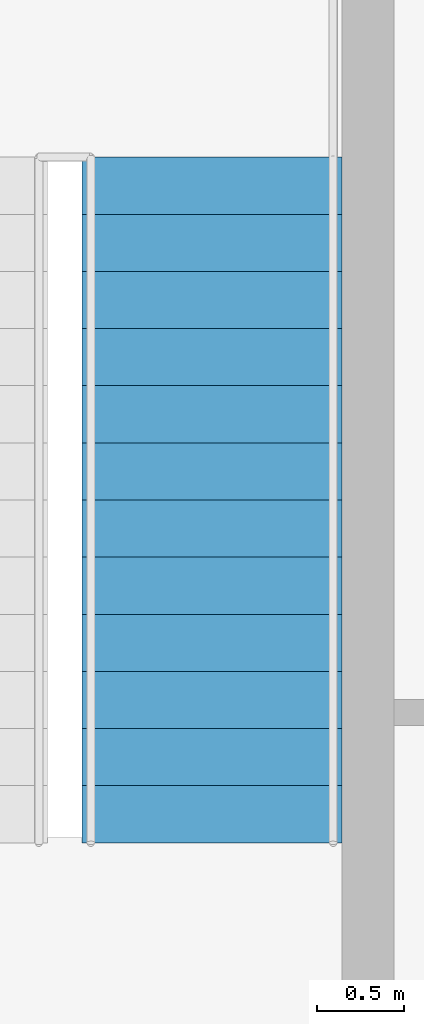
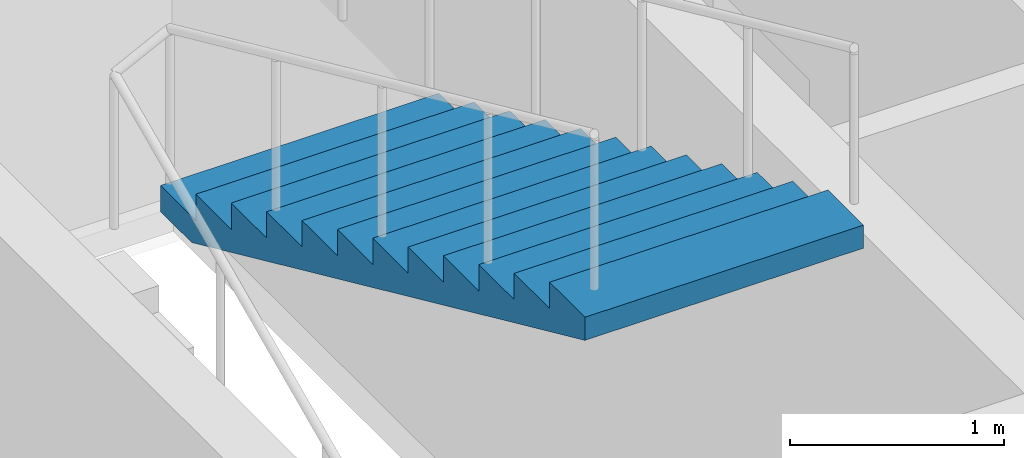
# One storey, part 9 of 10: 1 stair flight, 1 element without a shape of its own.
"""IFC4 building model written with IfcOpenShell, lengths in metres."""

import ifcopenshell
import ifcopenshell.guid

model = None  # the IFC model being written
_history = None  # IfcOwnerHistory: only IFC2X3 demands one
_inside = {}  # id of a spatial element -> (the spatial element, [elements in it])
_under = {}  # id of a project, library or spatial element -> (it, [spatial elements below it])
_declared = {}  # id of a project -> (the project, [libraries it declares])
_typed = {}  # id of a type object -> (the type object, [elements of that type])
_made_of = {}  # id of a material, layer set ... -> (it, [elements and type objects made of it])


def new_model(schema):
    """Start an empty IFC model of exactly this schema.

    Asked for "IFC4X3", IfcOpenShell would pick the latest addendum, in which some entities
    have other attributes; the version numbers below select the first issue.
    IFC2X3 requires an IfcOwnerHistory on every rooted entity: one is made here for all.
    """
    global model, _history
    if schema == "IFC4X3":
        model = ifcopenshell.file(schema_version=(4, 3, 0, 0))
    else:
        model = ifcopenshell.file(schema=schema)
    _inside.clear()
    _under.clear()
    _declared.clear()
    _typed.clear()
    _made_of.clear()
    _history = None
    if model.schema == "IFC2X3":
        org = make("IfcOrganization", Name="unknown")
        user = make(
            "IfcPersonAndOrganization",
            ThePerson=make("IfcPerson", FamilyName="unknown"),
            TheOrganization=org,
        )
        app = make(
            "IfcApplication",
            ApplicationDeveloper=org,
            Version="unknown",
            ApplicationFullName="unknown",
            ApplicationIdentifier="unknown",
        )
        _history = make(
            "IfcOwnerHistory",
            OwningUser=user,
            OwningApplication=app,
            ChangeAction="ADDED",
            CreationDate=0,
        )
    return model


def make(cls, **values):
    """One entity of the class cls with the attributes given. An attribute that is None is left unset."""
    return model.create_entity(
        cls, **{name: value for name, value in values.items() if value is not None}
    )


def rooted(cls, **values):
    """An entity with a GlobalId (a new one), such as an element, a storey or a relation."""
    return make(cls, GlobalId=ifcopenshell.guid.new(), OwnerHistory=_history, **values)


def si_unit(unit_type, name, prefix=None):
    """IfcSIUnit, for example si_unit("LENGTHUNIT", "METRE", prefix="MILLI")."""
    return make("IfcSIUnit", UnitType=unit_type, Prefix=prefix, Name=name)


def assignment(units):
    """IfcUnitAssignment: the units of a project."""
    return None if units is None else make("IfcUnitAssignment", Units=units)


def point(xyz):
    """IfcCartesianPoint."""
    return None if xyz is None else make("IfcCartesianPoint", Coordinates=xyz)


def direction(xyz):
    """IfcDirection."""
    return None if xyz is None else make("IfcDirection", DirectionRatios=xyz)


def frame(location, z_axis=None, x_axis=None):
    """IfcAxis2Placement3D, a coordinate frame: its origin and axes. An axis left out is left unset."""
    return make(
        "IfcAxis2Placement3D",
        Location=point(location),
        Axis=direction(z_axis),
        RefDirection=direction(x_axis),
    )


def origin():
    """The frame at (0, 0, 0) with its axes left unset."""
    return frame((0.0, 0.0, 0.0))


def place(relative_to, where):
    """IfcLocalPlacement: puts the frame where relative to a parent placement (None: the world)."""
    return make(
        "IfcLocalPlacement", PlacementRelTo=relative_to, RelativePlacement=where
    )


def context(
    kind, dimensions, precision=None, world=None, true_north=None, identifier=None
):
    """IfcGeometricRepresentationContext, for example the 3D "Model" context."""
    return make(
        "IfcGeometricRepresentationContext",
        ContextIdentifier=identifier,
        ContextType=kind,
        CoordinateSpaceDimension=dimensions,
        Precision=precision,
        WorldCoordinateSystem=world,
        TrueNorth=true_north,
    )


def subcontext(parent, identifier, kind, view, scale=None):
    """IfcGeometricRepresentationSubContext, for example "Body" below "Model"."""
    return make(
        "IfcGeometricRepresentationSubContext",
        ContextIdentifier=identifier,
        ContextType=kind,
        ParentContext=parent,
        TargetScale=scale,
        TargetView=view,
    )


def project(units=None, contexts=None):
    """IfcProject with its units and contexts."""
    return rooted(
        "IfcProject",
        Name="project",
        RepresentationContexts=contexts,
        UnitsInContext=assignment(units),
    )


def spatial(cls, under=None, at=None, **own):
    """A site, building, storey or space (cls), placed at a placement, below another one or the project."""
    s = rooted(cls, ObjectPlacement=at, **own)
    if under is not None:
        _under.setdefault(under.id(), (under, []))[1].append(s)
    return s


def point_list(points):
    """IfcCartesianPointList2D or 3D."""
    cls = (
        "IfcCartesianPointList2D" if len(points[0]) == 2 else "IfcCartesianPointList3D"
    )
    return make(cls, CoordList=points)


def polygons(points, faces, closed=None, point_numbers=None):
    """IfcPolygonalFaceSet: a face is its outer loop, then its inner loops; points numbered from 1."""
    made = []
    for loops in faces:
        if len(loops) == 1:
            made.append(make("IfcIndexedPolygonalFace", CoordIndex=loops[0]))
        else:
            made.append(
                make(
                    "IfcIndexedPolygonalFaceWithVoids",
                    CoordIndex=loops[0],
                    InnerCoordIndices=loops[1:],
                )
            )
    return make(
        "IfcPolygonalFaceSet",
        Coordinates=point_list(points),
        Closed=closed,
        Faces=made,
        PnIndex=point_numbers,
    )


def shape(context_of_items, identifier, shape_type, items):
    """IfcShapeRepresentation: the items that make up one representation, for example the "Body"."""
    return make(
        "IfcShapeRepresentation",
        ContextOfItems=context_of_items,
        RepresentationIdentifier=identifier,
        RepresentationType=shape_type,
        Items=items,
    )


def material(Name=None, Category=None):
    """IfcMaterial."""
    return make("IfcMaterial", Name=Name, Category=Category)


def made_of(thing, what):
    """Note that an element or type object is made of a material, layer set ...; save() writes the relation."""
    if what is not None:
        _made_of.setdefault(what.id(), (what, []))[1].append(thing)
    return thing


def type_object(cls, material=None, **own):
    """A type object (cls), such as IfcWallType, which elements share."""
    return made_of(rooted(cls, **own), material)


def element(
    cls,
    number,
    at=None,
    inside=None,
    cuts=None,
    type_object=None,
    material=None,
    context=None,
    identifier="Body",
    shape_type=None,
    held_by="IfcProductDefinitionShape",
    body=None,
    shapes=None,
    **own,
):
    """One element of the class cls, such as IfcWall. Its Tag is "e" and its number.

    at: its placement. inside: the storey or other place that contains it. cuts: it is an
    opening in that element (IfcRelVoidsElement). A single representation is given by context,
    identifier, shape_type and body (its items); several are given by shapes. held_by: the class
    of the entity that holds the representations. save() writes the other relations.
    """
    e = rooted(cls, Tag="e%d" % number, ObjectPlacement=at, **own)
    if body is not None:
        shapes = [shape(context, identifier, shape_type, body)]
    if shapes is not None:
        e.Representation = make(held_by, Representations=shapes)
    if inside is not None:
        _inside.setdefault(inside.id(), (inside, []))[1].append(e)
    if cuts is not None:
        rooted(
            "IfcRelVoidsElement", RelatingBuildingElement=cuts, RelatedOpeningElement=e
        )
    if type_object is not None:
        _typed.setdefault(type_object.id(), (type_object, []))[1].append(e)
    return made_of(e, material)


def aggregate(whole, parts):
    """IfcRelAggregates: a whole, such as a stair, and the parts it consists of."""
    return rooted("IfcRelAggregates", RelatingObject=whole, RelatedObjects=parts)


def save(model, path):
    """Write the relations noted so far, then the file.

    IfcRelAggregates (storeys below a building ...), IfcRelContainedInSpatialStructure (elements
    in a storey), IfcRelDefinesByType, IfcRelAssociatesMaterial and IfcRelDeclares: one each for
    every whole, place, type object, material and project.
    """
    for whole, parts in _under.values():
        aggregate(whole, parts)
    for where, things in _inside.values():
        rooted(
            "IfcRelContainedInSpatialStructure",
            RelatedElements=things,
            RelatingStructure=where,
        )
    for kind, things in _typed.values():
        rooted("IfcRelDefinesByType", RelatedObjects=things, RelatingType=kind)
    for what, things in _made_of.values():
        rooted("IfcRelAssociatesMaterial", RelatedObjects=things, RelatingMaterial=what)
    for by, libraries in _declared.values():
        rooted("IfcRelDeclares", RelatingContext=by, RelatedDefinitions=libraries)
    model.write(path)


model = new_model("IFC4")

# Units and contexts
model_context = context("Model", 3, precision=1e-05, world=origin(), true_north=direction((0.0, 1.0)))
body_context = subcontext(model_context, "Body", "Model", "MODEL_VIEW")
ifc_project = project(units=[si_unit("LENGTHUNIT", "METRE"), si_unit("AREAUNIT", "SQUARE_METRE"), si_unit("VOLUMEUNIT", "CUBIC_METRE"), si_unit("PLANEANGLEUNIT", "RADIAN"), si_unit("MASSUNIT", "GRAM", prefix="KILO")], contexts=[model_context])

# Site, building, storey
site_placement = place(None, origin())
site = spatial("IfcSite", under=ifc_project, at=site_placement, CompositionType="ELEMENT")
building_placement = place(site_placement, origin())
building = spatial("IfcBuilding", under=site, at=building_placement, Name="Njiva Tower", CompositionType="ELEMENT")
storey_placement = place(building_placement, frame((0.0, 0.0, 192.6)))
storey = spatial("IfcBuildingStorey", under=building, at=storey_placement, Name="L42", CompositionType="ELEMENT", Elevation=192.6)

# Stair, stair flight
ifc_material = material(Name="Concrete C40/50", Category="concrete")
stair_type = type_object("IfcStairType", Name="ST4 Exit stair 1500", PredefinedType="HALF_TURN_STAIR", material=ifc_material)
stair_placement = place(storey_placement, origin())
stair = element("IfcStair", 1, at=stair_placement, inside=storey, type_object=stair_type, Name="Stair B", PredefinedType="HALF_TURN_STAIR")
stair_flight_type = type_object("IfcStairFlightType", Name="FL4 Stair flight 1500", PredefinedType="STRAIGHT", material=ifc_material)
stair_flight_placement = place(storey_placement, frame((13.45, 15.06, 1.95), z_axis=(0.0, 0.0, 1.0), x_axis=(0.0, -1.0, 0.0)))
stair_flight = element("IfcStairFlight", 2, at=stair_flight_placement, type_object=stair_flight_type, Name="ST-B flight 2", NumberOfRisers=13, NumberOfTreads=12, PredefinedType="STRAIGHT", RiserHeight=0.15, TreadLength=0.33, context=body_context, shape_type="Tessellation", body=[
    polygons([(0.0, 0.75, 0.0), (0.0, 0.375, 0.0), (0.0, 0.0, 0.0), (0.0, -0.375, 0.0), (0.0, -0.75, 0.0), (0.0, 0.75, 0.15), (0.0, 0.375, 0.15), (0.0, 0.0, 0.15), (0.0, -0.375, 0.15), (0.0, -0.75, 0.15), (0.33, 0.75, 0.15), (0.33, 0.375, 0.15), (0.33, 0.0, 0.15), (0.33, -0.375, 0.15), (0.33, -0.75, 0.15), (0.33, 0.75, 0.3), (0.33, 0.375, 0.3), (0.33, 0.0, 0.3), (0.33, -0.375, 0.3), (0.33, -0.75, 0.3), (0.66, 0.75, 0.3), (0.66, 0.375, 0.3), (0.66, 0.0, 0.3), (0.66, -0.375, 0.3), (0.66, -0.75, 0.3), (0.66, 0.75, 0.45), (0.66, 0.375, 0.45), (0.66, 0.0, 0.45), (0.66, -0.375, 0.45), (0.66, -0.75, 0.45), (0.99, 0.75, 0.45), (0.99, 0.375, 0.45), (0.99, 0.0, 0.45), (0.99, -0.375, 0.45), (0.99, -0.75, 0.45), (0.99, 0.75, 0.6), (0.99, 0.375, 0.6), (0.99, 0.0, 0.6), (0.99, -0.375, 0.6), (0.99, -0.75, 0.6), (1.32, 0.75, 0.6), (1.32, 0.375, 0.6), (1.32, 0.0, 0.6), (1.32, -0.375, 0.6), (1.32, -0.75, 0.6), (1.32, 0.75, 0.75), (1.32, 0.375, 0.75), (1.32, 0.0, 0.75), (1.32, -0.375, 0.75), (1.32, -0.75, 0.75), (1.65, 0.75, 0.75), (1.65, 0.375, 0.75), (1.65, 0.0, 0.75), (1.65, -0.375, 0.75), (1.65, -0.75, 0.75), (1.65, 0.75, 0.9), (1.65, 0.375, 0.9), (1.65, 0.0, 0.9), (1.65, -0.375, 0.9), (1.65, -0.75, 0.9), (1.98, 0.75, 0.9), (1.98, 0.375, 0.9), (1.98, 0.0, 0.9), (1.98, -0.375, 0.9), (1.98, -0.75, 0.9), (1.98, 0.75, 1.05), (1.98, 0.375, 1.05), (1.98, 0.0, 1.05), (1.98, -0.375, 1.05), (1.98, -0.75, 1.05), (2.31, 0.75, 1.05), (2.31, 0.375, 1.05), (2.31, 0.0, 1.05), (2.31, -0.375, 1.05), (2.31, -0.75, 1.05), (2.31, 0.75, 1.2), (2.31, 0.375, 1.2), (2.31, 0.0, 1.2), (2.31, -0.375, 1.2), (2.31, -0.75, 1.2), (2.64, 0.75, 1.2), (2.64, 0.375, 1.2), (2.64, 0.0, 1.2), (2.64, -0.375, 1.2), (2.64, -0.75, 1.2), (2.64, 0.75, 1.35), (2.64, 0.375, 1.35), (2.64, 0.0, 1.35), (2.64, -0.375, 1.35), (2.64, -0.75, 1.35), (2.97, 0.75, 1.35), (2.97, 0.375, 1.35), (2.97, 0.0, 1.35), (2.97, -0.375, 1.35), (2.97, -0.75, 1.35), (2.97, 0.75, 1.5), (2.97, 0.375, 1.5), (2.97, 0.0, 1.5), (2.97, -0.375, 1.5), (2.97, -0.75, 1.5), (3.3, 0.75, 1.5), (3.3, 0.375, 1.5), (3.3, 0.0, 1.5), (3.3, -0.375, 1.5), (3.3, -0.75, 1.5), (3.3, 0.75, 1.65), (3.3, 0.375, 1.65), (3.3, 0.0, 1.65), (3.3, -0.375, 1.65), (3.3, -0.75, 1.65), (3.63, 0.75, 1.65), (3.63, 0.375, 1.65), (3.63, 0.0, 1.65), (3.63, -0.375, 1.65), (3.63, -0.75, 1.65), (3.63, 0.75, 1.8), (3.63, 0.375, 1.8), (3.63, 0.0, 1.8), (3.63, -0.375, 1.8), (3.63, -0.75, 1.8), (3.96, 0.75, 1.8), (3.96, 0.375, 1.8), (3.96, 0.0, 1.8), (3.96, -0.375, 1.8), (3.96, -0.75, 1.8), (3.96, 0.75, 1.6682), (3.96, 0.375, 1.6682), (3.96, 0.0, 1.6682), (3.96, -0.375, 1.6682), (3.96, -0.75, 1.6682), (0.29, 0.75, 0.0), (0.29, 0.375, 0.0), (0.29, 0.0, 0.0), (0.29, -0.375, 0.0), (0.29, -0.75, 0.0)], [[[1, 6, 11, 16, 21, 26, 31, 36, 41, 46, 51, 56, 61, 66, 71, 76, 81, 86, 91, 96, 101, 106, 111, 116, 121, 126, 131]], [[135, 130, 125, 120, 115, 110, 105, 100, 95, 90, 85, 80, 75, 70, 65, 60, 55, 50, 45, 40, 35, 30, 25, 20, 15, 10, 5]], [[6, 1, 2, 7]], [[7, 2, 3, 8]], [[8, 3, 4, 9]], [[9, 4, 5, 10]], [[11, 6, 7, 12]], [[12, 7, 8, 13]], [[13, 8, 9, 14]], [[14, 9, 10, 15]], [[16, 11, 12, 17]], [[17, 12, 13, 18]], [[18, 13, 14, 19]], [[19, 14, 15, 20]], [[21, 16, 17, 22]], [[22, 17, 18, 23]], [[23, 18, 19, 24]], [[24, 19, 20, 25]], [[26, 21, 22, 27]], [[27, 22, 23, 28]], [[28, 23, 24, 29]], [[29, 24, 25, 30]], [[31, 26, 27, 32]], [[32, 27, 28, 33]], [[33, 28, 29, 34]], [[34, 29, 30, 35]], [[36, 31, 32, 37]], [[37, 32, 33, 38]], [[38, 33, 34, 39]], [[39, 34, 35, 40]], [[41, 36, 37, 42]], [[42, 37, 38, 43]], [[43, 38, 39, 44]], [[44, 39, 40, 45]], [[46, 41, 42, 47]], [[47, 42, 43, 48]], [[48, 43, 44, 49]], [[49, 44, 45, 50]], [[51, 46, 47, 52]], [[52, 47, 48, 53]], [[53, 48, 49, 54]], [[54, 49, 50, 55]], [[56, 51, 52, 57]], [[57, 52, 53, 58]], [[58, 53, 54, 59]], [[59, 54, 55, 60]], [[61, 56, 57, 62]], [[62, 57, 58, 63]], [[63, 58, 59, 64]], [[64, 59, 60, 65]], [[66, 61, 62, 67]], [[67, 62, 63, 68]], [[68, 63, 64, 69]], [[69, 64, 65, 70]], [[71, 66, 67, 72]], [[72, 67, 68, 73]], [[73, 68, 69, 74]], [[74, 69, 70, 75]], [[76, 71, 72, 77]], [[77, 72, 73, 78]], [[78, 73, 74, 79]], [[79, 74, 75, 80]], [[81, 76, 77, 82]], [[82, 77, 78, 83]], [[83, 78, 79, 84]], [[84, 79, 80, 85]], [[86, 81, 82, 87]], [[87, 82, 83, 88]], [[88, 83, 84, 89]], [[89, 84, 85, 90]], [[91, 86, 87, 92]], [[92, 87, 88, 93]], [[93, 88, 89, 94]], [[94, 89, 90, 95]], [[96, 91, 92, 97]], [[97, 92, 93, 98]], [[98, 93, 94, 99]], [[99, 94, 95, 100]], [[101, 96, 97, 102]], [[102, 97, 98, 103]], [[103, 98, 99, 104]], [[104, 99, 100, 105]], [[106, 101, 102, 107]], [[107, 102, 103, 108]], [[108, 103, 104, 109]], [[109, 104, 105, 110]], [[111, 106, 107, 112]], [[112, 107, 108, 113]], [[113, 108, 109, 114]], [[114, 109, 110, 115]], [[116, 111, 112, 117]], [[117, 112, 113, 118]], [[118, 113, 114, 119]], [[119, 114, 115, 120]], [[121, 116, 117, 122]], [[122, 117, 118, 123]], [[123, 118, 119, 124]], [[124, 119, 120, 125]], [[126, 121, 122, 127]], [[127, 122, 123, 128]], [[128, 123, 124, 129]], [[129, 124, 125, 130]], [[131, 126, 127, 132]], [[132, 127, 128, 133]], [[133, 128, 129, 134]], [[134, 129, 130, 135]], [[1, 131, 132, 2]], [[2, 132, 133, 3]], [[3, 133, 134, 4]], [[4, 134, 135, 5]]], closed=True),
])
aggregate(stair, [stair_flight])

save(model, "model.ifc")
